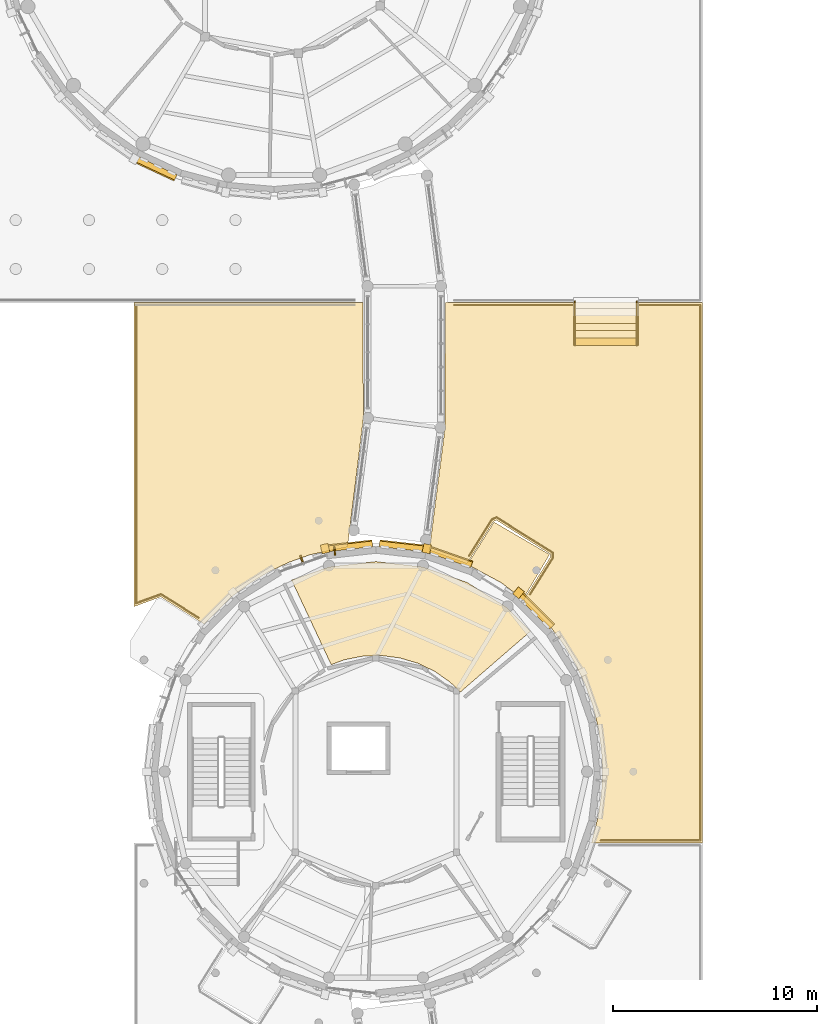
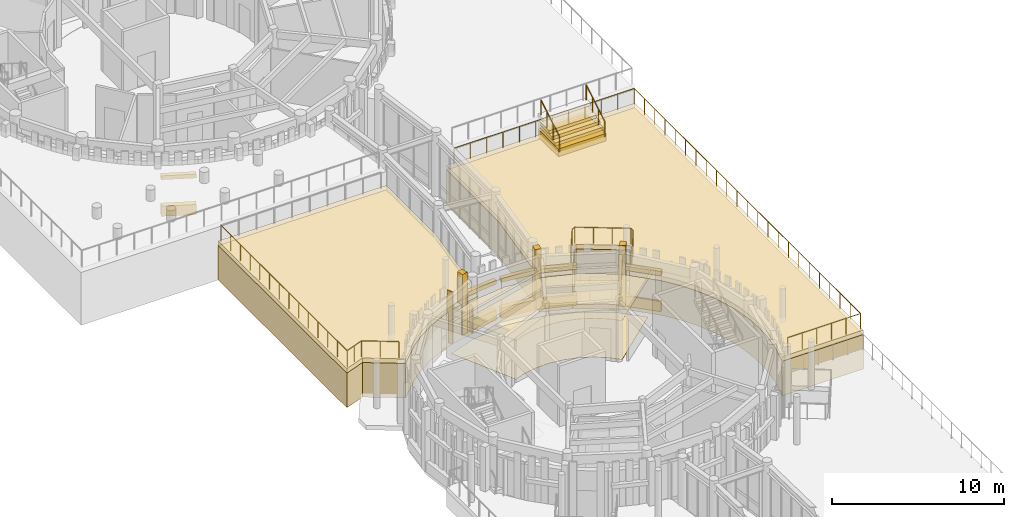
# One storey, part 82 of 94: 24 coverings, 5 railings, 2 shading devices.
"""IFC4 building model written with IfcOpenShell, lengths in metres."""

from ifc_helpers import new_model, si_unit, direction, frame, origin, origin_2d, place, context, subcontext, project, spatial, polyline, rectangle, circle, outline, extrude, material, layer, layer_set, type_object, element, save


model = new_model("IFC4")

# Units and contexts
model_context = context("Model", 3, precision=1e-05, world=origin(), true_north=direction((0.0, 1.0)))
body_context = subcontext(model_context, "Body", "Model", "MODEL_VIEW")
ifc_project = project(units=[si_unit("LENGTHUNIT", "METRE"), si_unit("AREAUNIT", "SQUARE_METRE"), si_unit("VOLUMEUNIT", "CUBIC_METRE"), si_unit("PLANEANGLEUNIT", "RADIAN"), si_unit("MASSUNIT", "GRAM", prefix="KILO")], contexts=[model_context])

# Site, building, storey
site_placement = place(None, origin())
site = spatial("IfcSite", under=ifc_project, at=site_placement, CompositionType="ELEMENT")
building_placement = place(site_placement, origin())
building = spatial("IfcBuilding", under=site, at=building_placement, Name="Aldenvaro Health Centre", CompositionType="ELEMENT")
storey_placement = place(building_placement, origin())
storey = spatial("IfcBuildingStorey", under=building, at=storey_placement, Name="L00", CompositionType="ELEMENT", Elevation=0.0)

# Coverings
ifc_material_1 = material(Name="Antimicrobial Mineral Fibre Ceiling")
ifc_layer_1 = layer(ifc_material_1, 0.01806640625, Name="Antimicrobial Mineral Fibre Ceiling")
ifc_layer_set_1 = layer_set([ifc_layer_1], Name="Antimicrobial Mineral Fibre Ceiling")
covering_type_1 = type_object("IfcCoveringType", Name="COV-CLG-ACT18", PredefinedType="CEILING", material=ifc_layer_set_1)
covering_1_placement = place(storey_placement, frame((0.0, 0.0, 2.75)))
element("IfcCovering", 1, at=covering_1_placement, inside=storey, type_object=covering_type_1, Name="D3-L00-R01 Suspended Ceiling", PredefinedType="CEILING", context=body_context, shape_type="SweptSolid", body=[
    extrude(outline(polyline([(27.1708984375, 61.8720703125), (27.156982421875, 61.885009765625), (27.14208984375, 61.89697265625), (26.4189453125, 62.406982421875), (26.402099609375, 62.4169921875), (26.385009765625, 62.427001953125), (25.590087890625, 62.81298828125), (25.572021484375, 62.821044921875), (25.552978515625, 62.826904296875), (24.7060546875, 63.080078125), (24.68701171875, 63.0849609375), (24.66796875, 63.087890625), (23.791015625, 63.201904296875), (23.77099609375, 63.2041015625), (23.751953125, 63.2041015625), (22.867919921875, 63.174072265625), (22.84912109375, 63.173095703125), (22.8291015625, 63.169921875), (21.9619140625, 62.998046875), (21.943115234375, 62.993896484375), (21.924072265625, 62.988037109375), (21.302978515625, 62.756103515625), (19.35595703125, 66.912109375), (21.2041015625, 67.55908203125), (23.5, 67.818115234375), (25.7958984375, 67.55908203125), (27.97705078125, 66.7958984375), (29.93310546875, 65.56689453125), (31.10009765625, 64.40087890625), (27.64501953125, 61.407958984375), (27.1708984375, 61.8720703125)])), origin(), (0.0, 0.0, 1.0), 0.01806640625),
])
ifc_material_2 = material(Name="Honed Sonoran Buff Limestone", Category="masonry")
ifc_layer_2 = layer(ifc_material_2, 0.280029296875, Name="Honed Sonoran Buff Limestone", Category="masonry")
ifc_layer_set_2 = layer_set([ifc_layer_2], Name="Honed Sonoran Buff Limestone")
covering_type_2 = type_object("IfcCoveringType", Name="COV-CRN-STN", PredefinedType="CLADDING", material=ifc_layer_set_2)
covering_2_placement = place(storey_placement, frame((22.2490234375, 68.60107421875, 0.0), z_axis=(0.0, 0.0, 1.0), x_axis=(0.993722777443, 0.111870646695, 0.0)))
element("IfcCovering", 2, at=covering_2_placement, inside=storey, type_object=covering_type_2, Name="D3 L00 Rusticated Limestone Plinth 21.1", PredefinedType="CLADDING", context=body_context, shape_type="SweptSolid", body=[
    extrude(rectangle(XDim=2.159912109375, YDim=0.340087890625, at=origin_2d()), origin(), (0.0, 0.0, 1.0), 0.719970703125),
])
covering_3_placement = place(storey_placement, frame((22.2529296875, 68.572021484375, 2.5498046875), z_axis=(0.0, 0.0, 1.0), x_axis=(0.993722777443, 0.111870646695, 0.0)))
element("IfcCovering", 3, at=covering_3_placement, inside=storey, type_object=covering_type_2, Name="D3 L00 Rusticated Limestone Plinth 21.2", PredefinedType="CLADDING", context=body_context, shape_type="SweptSolid", body=[
    extrude(rectangle(XDim=2.159912109375, YDim=0.280029296875, at=origin_2d()), origin(), (0.0, 0.0, 1.0), 0.280029296875),
])
covering_4_placement = place(storey_placement, frame((20.9990234375, 68.4580078125, -0.00048828125), z_axis=(0.0, 0.0, 1.0), x_axis=(-0.222473549538, 0.974938726155, 0.0)))
element("IfcCovering", 4, at=covering_4_placement, inside=storey, type_object=covering_type_2, Name="D3 L00 Engaged Classical Limestone Pilaster 11", PredefinedType="CLADDING", context=body_context, shape_type="SweptSolid", body=[
    extrude(rectangle(XDim=0.43994140625, YDim=0.3798828125, at=origin_2d()), origin(), (0.0, 0.0, 1.0), 4.304931640625),
])
covering_5_placement = place(storey_placement, frame((24.7509765625, 68.60107421875, 0.0), z_axis=(0.0, 0.0, 1.0), x_axis=(0.993722777443, -0.111870646695, 0.0)))
element("IfcCovering", 5, at=covering_5_placement, inside=storey, type_object=covering_type_2, Name="D3 L00 Rusticated Limestone Plinth 22.1", PredefinedType="CLADDING", context=body_context, shape_type="SweptSolid", body=[
    extrude(rectangle(XDim=2.159912109375, YDim=0.340087890625, at=origin_2d()), origin(), (0.0, 0.0, 1.0), 0.719970703125),
])
covering_6_placement = place(storey_placement, frame((24.7470703125, 68.572021484375, 2.5498046875), z_axis=(0.0, 0.0, 1.0), x_axis=(0.993722777443, -0.111870646695, 0.0)))
element("IfcCovering", 6, at=covering_6_placement, inside=storey, type_object=covering_type_2, Name="D3 L00 Rusticated Limestone Plinth 22.2", PredefinedType="CLADDING", context=body_context, shape_type="SweptSolid", body=[
    extrude(rectangle(XDim=2.159912109375, YDim=0.280029296875, at=origin_2d()), origin(), (0.0, 0.0, 1.0), 0.280029296875),
])
covering_7_placement = place(storey_placement, frame((27.18896484375, 68.044921875, 0.0), z_axis=(0.0, 0.0, 1.0), x_axis=(0.943909441385, -0.330204431323, 0.0)))
element("IfcCovering", 7, at=covering_7_placement, inside=storey, type_object=covering_type_2, Name="D3 L00 Rusticated Limestone Plinth 23.1", PredefinedType="CLADDING", context=body_context, shape_type="SweptSolid", body=[
    extrude(rectangle(XDim=2.160888671875, YDim=0.340087890625, at=origin_2d()), origin(), (0.0, 0.0, 1.0), 0.719970703125),
])
covering_8_placement = place(storey_placement, frame((27.178955078125, 68.01708984375, 2.5498046875), z_axis=(0.0, 0.0, 1.0), x_axis=(0.943909441385, -0.330204431323, 0.0)))
element("IfcCovering", 8, at=covering_8_placement, inside=storey, type_object=covering_type_2, Name="D3 L00 Rusticated Limestone Plinth 23.2", PredefinedType="CLADDING", context=body_context, shape_type="SweptSolid", body=[
    extrude(rectangle(XDim=2.160888671875, YDim=0.280029296875, at=origin_2d()), origin(), (0.0, 0.0, 1.0), 0.280029296875),
])
covering_9_placement = place(storey_placement, frame((26.0009765625, 68.4580078125, -0.00048828125), z_axis=(0.0, 0.0, 1.0), x_axis=(0.222473549538, 0.974938726155, 0.0)))
element("IfcCovering", 9, at=covering_9_placement, inside=storey, type_object=covering_type_2, Name="D3 L00 Engaged Classical Limestone Pilaster 12", PredefinedType="CLADDING", context=body_context, shape_type="SweptSolid", body=[
    extrude(rectangle(XDim=0.43994140625, YDim=0.3798828125, at=origin_2d()), origin(), (0.0, 0.0, 1.0), 4.304931640625),
])
covering_10_placement = place(storey_placement, frame((31.39892578125, 65.39892578125, 0.0), z_axis=(0.0, 0.0, 1.0), x_axis=(0.707106781187, -0.707106781187, 0.0)))
element("IfcCovering", 10, at=covering_10_placement, inside=storey, type_object=covering_type_2, Name="D3 L00 Rusticated Limestone Plinth 25.1", PredefinedType="CLADDING", context=body_context, shape_type="SweptSolid", body=[
    extrude(rectangle(XDim=2.160888671875, YDim=0.340087890625, at=origin_2d()), origin(), (0.0, 0.0, 1.0), 0.719970703125),
])
covering_11_placement = place(storey_placement, frame((31.3779296875, 65.3779296875, 2.5498046875), z_axis=(0.0, 0.0, 1.0), x_axis=(0.707106781187, -0.707106781187, 0.0)))
element("IfcCovering", 11, at=covering_11_placement, inside=storey, type_object=covering_type_2, Name="D3 L00 Rusticated Limestone Plinth 25.2", PredefinedType="CLADDING", context=body_context, shape_type="SweptSolid", body=[
    extrude(rectangle(XDim=2.160888671875, YDim=0.280029296875, at=origin_2d()), origin(), (0.0, 0.0, 1.0), 0.280029296875),
])
covering_12_placement = place(storey_placement, frame((30.508056640625, 66.2880859375, -0.00048828125), z_axis=(0.0, 0.0, 1.0), x_axis=(0.623485976143, 0.781834533359, 0.0)))
element("IfcCovering", 12, at=covering_12_placement, inside=storey, type_object=covering_type_2, Name="D3 L00 Engaged Classical Limestone Pilaster 13", PredefinedType="CLADDING", context=body_context, shape_type="SweptSolid", body=[
    extrude(rectangle(XDim=0.43994140625, YDim=0.3798828125, at=origin_2d()), origin(), (0.0, 0.0, 1.0), 4.304931640625),
])
covering_13_placement = place(storey_placement, frame((12.720947265625, 87.10693359375, 0.0), z_axis=(0.0, 0.0, 1.0), x_axis=(-0.90633620484, 0.422557314215, 0.0)))
element("IfcCovering", 13, at=covering_13_placement, inside=storey, type_object=covering_type_2, Name="D4 L00 Rusticated Limestone Plinth 12.1", PredefinedType="CLADDING", context=body_context, shape_type="SweptSolid", body=[
    extrude(rectangle(XDim=2.055908203125, YDim=0.340087890625, at=origin_2d()), origin(), (0.0, 0.0, 1.0), 0.719970703125),
])
covering_14_placement = place(storey_placement, frame((12.73388671875, 87.134033203125, 2.5498046875), z_axis=(0.0, 0.0, 1.0), x_axis=(-0.90633620484, 0.422557314215, 0.0)))
element("IfcCovering", 14, at=covering_14_placement, inside=storey, type_object=covering_type_2, Name="D4 L00 Rusticated Limestone Plinth 12.2", PredefinedType="CLADDING", context=body_context, shape_type="SweptSolid", body=[
    extrude(rectangle(XDim=2.055908203125, YDim=0.280029296875, at=origin_2d()), origin(), (0.0, 0.0, 1.0), 0.280029296875),
])
covering_15_placement = place(storey_placement, frame((0.0, 0.0, -0.320068359375)))
element("IfcCovering", 15, at=covering_15_placement, inside=storey, type_object=covering_type_2, Name="Middle Foothill Wing and Upper Garden Belvedere Terrace Rusticated Foothill Stone Plinth 3", PredefinedType="CLADDING", context=body_context, shape_type="SweptSolid", body=[
    extrude(outline(polyline([(26.123046875, 68.37890625), (26.89697265625, 74.385986328125), (26.9130859375, 80.550048828125), (39.550048828125, 80.550048828125), (39.550048828125, 54.0), (34.093994140625, 54.0), (34.426025390625, 55.326904296875), (34.5859375, 56.407958984375), (34.639892578125, 57.5), (34.5859375, 58.592041015625), (34.426025390625, 59.673095703125), (34.159912109375, 60.73388671875), (33.7919921875, 61.762939453125), (33.324951171875, 62.7509765625), (32.762939453125, 63.68896484375), (32.111083984375, 64.56689453125), (30.75390625, 65.94189453125), (32.070068359375, 68.037109375), (32.072998046875, 68.19091796875), (29.4130859375, 69.863037109375), (29.27587890625, 69.79296875), (27.970947265625, 67.717041015625), (26.123046875, 68.37890625)])), origin(), (0.0, 0.0, 1.0), 2.449951171875),
])
covering_16_placement = place(storey_placement, frame((0.0, 0.0, -0.320068359375)))
element("IfcCovering", 16, at=covering_16_placement, inside=storey, type_object=covering_type_2, Name="Middle Foothill Wing and Upper Garden Belvedere Terrace Rusticated Foothill Stone Plinth 4", PredefinedType="CLADDING", context=body_context, shape_type="SweptSolid", body=[
    extrude(outline(polyline([(11.60009765625, 80.550048828125), (22.873046875, 80.550048828125), (22.87890625, 74.821044921875), (22.10400390625, 68.541015625), (20.26611328125, 68.159912109375), (19.237060546875, 67.7919921875), (18.2490234375, 67.324951171875), (17.31103515625, 66.762939453125), (16.43310546875, 66.111083984375), (15.05810546875, 64.75390625), (12.923095703125, 66.087890625), (11.60009765625, 65.60400390625), (11.60009765625, 80.550048828125)])), origin(), (0.0, 0.0, 1.0), 2.449951171875),
])
covering_17_placement = place(storey_placement, frame((0.0, 0.0, -0.320068359375)))
element("IfcCovering", 17, at=covering_17_placement, inside=storey, type_object=covering_type_2, Name="Classical Terrace Grand Stair GST-W2 Solid Stone Carriage", PredefinedType="CLADDING", context=body_context, shape_type="SweptSolid", body=[
    extrude(outline(polyline([(33.199951171875, 78.449951171875), (36.39990234375, 78.449951171875), (36.39990234375, 80.81005859375), (33.199951171875, 80.81005859375), (33.199951171875, 78.449951171875)])), origin(), (0.0, 0.0, 1.0), 2.987060546875),
])
ifc_material_3 = material(Name="Polished Epoxy Terrazzo Flooring")
ifc_layer_3 = layer(ifc_material_3, 0.02197265625, Name="Polished Epoxy Terrazzo Flooring")
ifc_layer_set_3 = layer_set([ifc_layer_3], Name="Polished Epoxy Terrazzo Flooring")
covering_type_3 = type_object("IfcCoveringType", Name="COV-FLR-TER22", PredefinedType="FLOORING", material=ifc_layer_set_3)
covering_18_placement = place(storey_placement, origin())
element("IfcCovering", 18, at=covering_18_placement, inside=storey, type_object=covering_type_3, Name="D3-L00-R01 Flooring", PredefinedType="FLOORING", context=body_context, shape_type="SweptSolid", body=[
    extrude(outline(polyline([(27.1708984375, 61.8720703125), (27.156982421875, 61.885009765625), (27.14208984375, 61.89697265625), (26.4189453125, 62.406982421875), (26.402099609375, 62.4169921875), (26.385009765625, 62.427001953125), (25.590087890625, 62.81298828125), (25.572021484375, 62.821044921875), (25.552978515625, 62.826904296875), (24.7060546875, 63.080078125), (24.68701171875, 63.0849609375), (24.66796875, 63.087890625), (23.791015625, 63.201904296875), (23.77099609375, 63.2041015625), (23.751953125, 63.2041015625), (22.867919921875, 63.174072265625), (22.84912109375, 63.173095703125), (22.8291015625, 63.169921875), (21.9619140625, 62.998046875), (21.943115234375, 62.993896484375), (21.924072265625, 62.988037109375), (21.302978515625, 62.756103515625), (19.35595703125, 66.912109375), (21.2041015625, 67.55908203125), (23.5, 67.818115234375), (25.7958984375, 67.55908203125), (27.97705078125, 66.7958984375), (29.93310546875, 65.56689453125), (31.10009765625, 64.40087890625), (27.64501953125, 61.407958984375), (27.1708984375, 61.8720703125)])), origin(), (0.0, 0.0, 1.0), 0.02197265625),
])
ifc_material_4 = material(Name="Honed Sonoran Buff Travertine", Category="masonry")
ifc_layer_4 = layer(ifc_material_4, 0.320068359375, Name="Honed Sonoran Buff Travertine", Category="masonry")
ifc_layer_set_4 = layer_set([ifc_layer_4], Name="Honed Sonoran Buff Travertine")
covering_type_4 = type_object("IfcCoveringType", Name="COV-POD-320", PredefinedType="FLOORING", material=ifc_layer_set_4)
covering_19_placement = place(storey_placement, frame((0.0, 0.0, -0.320068359375)))
element("IfcCovering", 19, at=covering_19_placement, inside=storey, type_object=covering_type_4, Name="South Street Entrance Stylobate Forecourt Section 21", PredefinedType="FLOORING", context=body_context, shape_type="SweptSolid", body=[
    extrude(outline(polyline([(27.9951171875, 67.68505859375), (29.303955078125, 69.761962890625), (32.032958984375, 68.1689453125), (30.722900390625, 65.969970703125), (29.68896484375, 66.762939453125), (27.9951171875, 67.68505859375)])), origin(), (0.0, 0.0, 1.0), 0.320068359375),
])
covering_20_placement = place(storey_placement, frame((0.0, 0.0, 2.1298828125)))
element("IfcCovering", 20, at=covering_20_placement, inside=storey, type_object=covering_type_4, Name="Middle Foothill Wing and Upper Garden Belvedere Terrace Coping Deck 3", PredefinedType="FLOORING", context=body_context, shape_type="SweptSolid", body=[
    extrude(outline(polyline([(26.123046875, 68.37890625), (26.89697265625, 74.385986328125), (26.9130859375, 80.550048828125), (39.550048828125, 80.550048828125), (39.550048828125, 54.0), (34.093994140625, 54.0), (34.426025390625, 55.326904296875), (34.5859375, 56.407958984375), (34.639892578125, 57.5), (34.5859375, 58.592041015625), (34.426025390625, 59.673095703125), (34.159912109375, 60.73388671875), (33.7919921875, 61.762939453125), (33.324951171875, 62.7509765625), (32.762939453125, 63.68896484375), (32.111083984375, 64.56689453125), (30.75390625, 65.94189453125), (32.070068359375, 68.037109375), (32.072998046875, 68.19091796875), (29.4130859375, 69.863037109375), (29.27587890625, 69.79296875), (27.970947265625, 67.717041015625), (26.123046875, 68.37890625)])), origin(), (0.0, 0.0, 1.0), 0.320068359375),
])
covering_21_placement = place(storey_placement, frame((0.0, 0.0, 2.1298828125)))
element("IfcCovering", 21, at=covering_21_placement, inside=storey, type_object=covering_type_4, Name="Middle Foothill Wing and Upper Garden Belvedere Terrace Coping Deck 4", PredefinedType="FLOORING", context=body_context, shape_type="SweptSolid", body=[
    extrude(outline(polyline([(11.60009765625, 80.550048828125), (22.873046875, 80.550048828125), (22.87890625, 74.821044921875), (22.10400390625, 68.541015625), (20.26611328125, 68.159912109375), (19.237060546875, 67.7919921875), (18.2490234375, 67.324951171875), (17.31103515625, 66.762939453125), (16.43310546875, 66.111083984375), (15.05810546875, 64.75390625), (12.923095703125, 66.087890625), (11.60009765625, 65.60400390625), (11.60009765625, 80.550048828125)])), origin(), (0.0, 0.0, 1.0), 0.320068359375),
])
covering_22_placement = place(storey_placement, frame((0.0, 0.0, 2.6669921875)))
element("IfcCovering", 22, at=covering_22_placement, inside=storey, type_object=covering_type_4, Name="Classical Terrace Grand Stair GST-W2 Stone Step 2", PredefinedType="FLOORING", context=body_context, shape_type="SweptSolid", body=[
    extrude(outline(polyline([(33.199951171875, 78.81005859375), (36.39990234375, 78.81005859375), (36.39990234375, 80.81005859375), (33.199951171875, 80.81005859375), (33.199951171875, 78.81005859375)])), origin(), (0.0, 0.0, 1.0), 0.216064453125),
])
covering_23_placement = place(storey_placement, frame((0.0, 0.0, 2.883056640625)))
element("IfcCovering", 23, at=covering_23_placement, inside=storey, type_object=covering_type_4, Name="Classical Terrace Grand Stair GST-W2 Stone Step 3", PredefinedType="FLOORING", context=body_context, shape_type="SweptSolid", body=[
    extrude(outline(polyline([(33.199951171875, 79.169921875), (36.39990234375, 79.169921875), (36.39990234375, 80.81005859375), (33.199951171875, 80.81005859375), (33.199951171875, 79.169921875)])), origin(), (0.0, 0.0, 1.0), 0.217041015625),
])
covering_24_placement = place(storey_placement, frame((0.0, 0.0, 3.10009765625)))
element("IfcCovering", 24, at=covering_24_placement, inside=storey, type_object=covering_type_4, Name="Classical Terrace Grand Stair GST-W2 Stone Step 4", PredefinedType="FLOORING", context=body_context, shape_type="SweptSolid", body=[
    extrude(outline(polyline([(33.199951171875, 79.530029296875), (36.39990234375, 79.530029296875), (36.39990234375, 80.81005859375), (33.199951171875, 80.81005859375), (33.199951171875, 79.530029296875)])), origin(), (0.0, 0.0, 1.0), 0.216796875),
])

# Railings
ifc_material_5 = material(Name="Painted Architectural Steel", Category="steel")
railing_type_1 = type_object("IfcRailingType", Name="RL-BAL-110", PredefinedType="GUARDRAIL", material=ifc_material_5)
for number, where, name in (
    (25, (33.280029296875, 78.449951171875, 2.449951171875), "Classical Terrace Grand Stair GST-W2 Balustrade W"),
    (26, (36.320068359375, 78.449951171875, 2.449951171875), "Classical Terrace Grand Stair GST-W2 Balustrade E"),
):
    element("IfcRailing", number, at=place(storey_placement, frame(where)), inside=storey, type_object=railing_type_1, Name=name, PredefinedType="GUARDRAIL", context=body_context, shape_type="SweptSolid", body=[
        extrude(circle(Radius=0.02392578125, at=origin_2d()), frame((0.0, 0.0, 1.076171875), z_axis=(0.0, 0.856800061236, 0.515648771031), x_axis=(-1.0, 0.0, 0.0)), (0.0, 0.0, 1.0), 2.521240234375),
        extrude(circle(Radius=0.02099609375, at=origin_2d()), origin(), (0.0, 0.0, 1.0), 1.052001953125),
        extrude(circle(Radius=0.02099609375, at=origin_2d()), frame((0.0, 0.719970703125, 0.433349609375)), (0.0, 0.0, 1.0), 1.052001953125),
        extrude(circle(Radius=0.02099609375, at=origin_2d()), frame((0.0, 1.440185546875, 0.86669921875)), (0.0, 0.0, 1.0), 1.052001953125),
        extrude(circle(Radius=0.02099609375, at=origin_2d()), frame((0.0, 2.16015625, 1.300048828125)), (0.0, 0.0, 1.0), 1.052001953125),
    ])
railing_type_2 = type_object("IfcRailingType", Name="RL-BAL-115", PredefinedType="GUARDRAIL", material=ifc_material_5)
railing_1_placement = place(storey_placement, frame((27.343017578125, 80.429931640625, 2.449951171875)))
element("IfcRailing", 27, at=railing_1_placement, inside=storey, type_object=railing_type_2, Name="Middle Foothill Wing and Upper Garden Belvedere Terrace Classical Balustrade 17", PredefinedType="GUARDRAIL", context=body_context, shape_type="SweptSolid", body=[
    extrude(circle(Radius=0.02392578125, at=origin_2d()), frame((0.0, 0.0, 1.1357421875), z_axis=(1.0, 0.0, 0.0), x_axis=(0.0, 1.0, 0.0)), (0.0, 0.0, 1.0), 12.0869140625),
    extrude(circle(Radius=0.02392578125, at=origin_2d()), frame((12.0869140625, 0.0, 1.1357421875), z_axis=(0.0, -1.0, 0.0), x_axis=(1.0, 0.0, 0.0)), (0.0, 0.0, 1.0), 26.309814453125),
    extrude(circle(Radius=0.02392578125, at=origin_2d()), frame((12.0869140625, -26.309814453125, 1.1357421875), z_axis=(-1.0, 0.0, 0.0), x_axis=(0.0, -1.0, 0.0)), (0.0, 0.0, 1.0), 4.886962890625),
    extrude(circle(Radius=0.02099609375, at=origin_2d()), origin(), (0.0, 0.0, 1.0), 1.11181640625),
    extrude(circle(Radius=0.02099609375, at=origin_2d()), frame((1.098876953125, 0.0, 0.0)), (0.0, 0.0, 1.0), 1.11181640625),
    extrude(circle(Radius=0.02099609375, at=origin_2d()), frame((2.197509765625, 0.0, 0.0)), (0.0, 0.0, 1.0), 1.11181640625),
    extrude(circle(Radius=0.02099609375, at=origin_2d()), frame((3.29638671875, 0.0, 0.0)), (0.0, 0.0, 1.0), 1.11181640625),
    extrude(circle(Radius=0.02099609375, at=origin_2d()), frame((4.395263671875, 0.0, 0.0)), (0.0, 0.0, 1.0), 1.11181640625),
    extrude(circle(Radius=0.02099609375, at=origin_2d()), frame((5.494140625, 0.0, 0.0)), (0.0, 0.0, 1.0), 1.11181640625),
    extrude(circle(Radius=0.02099609375, at=origin_2d()), frame((6.5927734375, 0.0, 0.0)), (0.0, 0.0, 1.0), 1.11181640625),
    extrude(circle(Radius=0.02099609375, at=origin_2d()), frame((7.691650390625, 0.0, 0.0)), (0.0, 0.0, 1.0), 1.11181640625),
    extrude(circle(Radius=0.02099609375, at=origin_2d()), frame((8.79052734375, 0.0, 0.0)), (0.0, 0.0, 1.0), 1.11181640625),
    extrude(circle(Radius=0.02099609375, at=origin_2d()), frame((9.889404296875, 0.0, 0.0)), (0.0, 0.0, 1.0), 1.11181640625),
    extrude(circle(Radius=0.02099609375, at=origin_2d()), frame((10.988037109375, 0.0, 0.0)), (0.0, 0.0, 1.0), 1.11181640625),
    extrude(circle(Radius=0.02099609375, at=origin_2d()), frame((12.0869140625, 0.0, 0.0)), (0.0, 0.0, 1.0), 1.11181640625),
    extrude(circle(Radius=0.02099609375, at=origin_2d()), frame((12.0869140625, -1.19580078125, 0.0)), (0.0, 0.0, 1.0), 1.11181640625),
    extrude(circle(Radius=0.02099609375, at=origin_2d()), frame((12.0869140625, -2.391845703125, 0.0)), (0.0, 0.0, 1.0), 1.11181640625),
    extrude(circle(Radius=0.02099609375, at=origin_2d()), frame((12.0869140625, -3.587646484375, 0.0)), (0.0, 0.0, 1.0), 1.11181640625),
    extrude(circle(Radius=0.02099609375, at=origin_2d()), frame((12.0869140625, -4.78369140625, 0.0)), (0.0, 0.0, 1.0), 1.11181640625),
    extrude(circle(Radius=0.02099609375, at=origin_2d()), frame((12.0869140625, -5.9794921875, 0.0)), (0.0, 0.0, 1.0), 1.11181640625),
    extrude(circle(Radius=0.02099609375, at=origin_2d()), frame((12.0869140625, -7.17529296875, 0.0)), (0.0, 0.0, 1.0), 1.11181640625),
    extrude(circle(Radius=0.02099609375, at=origin_2d()), frame((12.0869140625, -8.371337890625, 0.0)), (0.0, 0.0, 1.0), 1.11181640625),
    extrude(circle(Radius=0.02099609375, at=origin_2d()), frame((12.0869140625, -9.567138671875, 0.0)), (0.0, 0.0, 1.0), 1.11181640625),
    extrude(circle(Radius=0.02099609375, at=origin_2d()), frame((12.0869140625, -10.76318359375, 0.0)), (0.0, 0.0, 1.0), 1.11181640625),
    extrude(circle(Radius=0.02099609375, at=origin_2d()), frame((12.0869140625, -11.958984375, 0.0)), (0.0, 0.0, 1.0), 1.11181640625),
    extrude(circle(Radius=0.02099609375, at=origin_2d()), frame((12.0869140625, -13.15478515625, 0.0)), (0.0, 0.0, 1.0), 1.11181640625),
    extrude(circle(Radius=0.02099609375, at=origin_2d()), frame((12.0869140625, -14.350830078125, 0.0)), (0.0, 0.0, 1.0), 1.11181640625),
    extrude(circle(Radius=0.02099609375, at=origin_2d()), frame((12.0869140625, -15.546630859375, 0.0)), (0.0, 0.0, 1.0), 1.11181640625),
    extrude(circle(Radius=0.02099609375, at=origin_2d()), frame((12.0869140625, -16.74267578125, 0.0)), (0.0, 0.0, 1.0), 1.11181640625),
    extrude(circle(Radius=0.02099609375, at=origin_2d()), frame((12.0869140625, -17.9384765625, 0.0)), (0.0, 0.0, 1.0), 1.11181640625),
    extrude(circle(Radius=0.02099609375, at=origin_2d()), frame((12.0869140625, -19.134521484375, 0.0)), (0.0, 0.0, 1.0), 1.11181640625),
    extrude(circle(Radius=0.02099609375, at=origin_2d()), frame((12.0869140625, -20.330322265625, 0.0)), (0.0, 0.0, 1.0), 1.11181640625),
    extrude(circle(Radius=0.02099609375, at=origin_2d()), frame((12.0869140625, -21.526123046875, 0.0)), (0.0, 0.0, 1.0), 1.11181640625),
    extrude(circle(Radius=0.02099609375, at=origin_2d()), frame((12.0869140625, -22.72216796875, 0.0)), (0.0, 0.0, 1.0), 1.11181640625),
    extrude(circle(Radius=0.02099609375, at=origin_2d()), frame((12.0869140625, -23.91796875, 0.0)), (0.0, 0.0, 1.0), 1.11181640625),
    extrude(circle(Radius=0.02099609375, at=origin_2d()), frame((12.0869140625, -25.114013671875, 0.0)), (0.0, 0.0, 1.0), 1.11181640625),
    extrude(circle(Radius=0.02099609375, at=origin_2d()), frame((12.0869140625, -26.309814453125, 0.0)), (0.0, 0.0, 1.0), 1.11181640625),
    extrude(circle(Radius=0.02099609375, at=origin_2d()), frame((11.109619140625, -26.309814453125, 0.0)), (0.0, 0.0, 1.0), 1.11181640625),
    extrude(circle(Radius=0.02099609375, at=origin_2d()), frame((10.132080078125, -26.309814453125, 0.0)), (0.0, 0.0, 1.0), 1.11181640625),
    extrude(circle(Radius=0.02099609375, at=origin_2d()), frame((9.15478515625, -26.309814453125, 0.0)), (0.0, 0.0, 1.0), 1.11181640625),
    extrude(circle(Radius=0.02099609375, at=origin_2d()), frame((8.17724609375, -26.309814453125, 0.0)), (0.0, 0.0, 1.0), 1.11181640625),
    extrude(circle(Radius=0.02099609375, at=origin_2d()), frame((7.199951171875, -26.309814453125, 0.0)), (0.0, 0.0, 1.0), 1.11181640625),
])
railing_2_placement = place(storey_placement, frame((31.06591796875, 66.2119140625, 2.449951171875)))
element("IfcRailing", 28, at=railing_2_placement, inside=storey, type_object=railing_type_2, Name="Middle Foothill Wing and Upper Garden Belvedere Terrace Classical Balustrade 18", PredefinedType="GUARDRAIL", context=body_context, shape_type="SweptSolid", body=[
    extrude(circle(Radius=0.02392578125, at=origin_2d()), frame((0.0, 0.0, 1.1357421875), z_axis=(0.531660171449, 0.846957768779, 0.0), x_axis=(-0.846957768779, 0.531660171449, 0.0)), (0.0, 0.0, 1.0), 2.1123046875),
    extrude(circle(Radius=0.02392578125, at=origin_2d()), frame((1.123046875, 1.7890625, 1.1357421875), z_axis=(0.020091637317, 0.999798142682, 0.0), x_axis=(-0.999798142682, 0.020091637317, 0.0)), (0.0, 0.0, 1.0), 0.255126953125),
    extrude(circle(Radius=0.02392578125, at=origin_2d()), frame((1.128173828125, 2.044189453125, 1.1357421875), z_axis=(-0.846568472372, 0.532279833909, 0.0), x_axis=(-0.532279833909, -0.846568472372, 0.0)), (0.0, 0.0, 1.0), 3.278076171875),
    extrude(circle(Radius=0.02392578125, at=origin_2d()), frame((-1.64697265625, 3.7890625, 1.1357421875), z_axis=(-0.890564000386, -0.454857957187, 0.0), x_axis=(0.454857957187, -0.890564000386, 0.0)), (0.0, 0.0, 1.0), 0.2548828125),
    extrude(circle(Radius=0.02392578125, at=origin_2d()), frame((-1.8740234375, 3.673095703125, 1.1357421875), z_axis=(-0.532131225765, -0.846661891528, 0.0), x_axis=(0.846661891528, -0.532131225765, 0.0)), (0.0, 0.0, 1.0), 2.108154296875),
    extrude(circle(Radius=0.02099609375, at=origin_2d()), origin(), (0.0, 0.0, 1.0), 1.11181640625),
    extrude(circle(Radius=0.02099609375, at=origin_2d()), frame((0.5615234375, 0.89453125, 0.0)), (0.0, 0.0, 1.0), 1.11181640625),
    extrude(circle(Radius=0.02099609375, at=origin_2d()), frame((1.123046875, 1.7890625, 0.0)), (0.0, 0.0, 1.0), 1.11181640625),
    extrude(circle(Radius=0.02099609375, at=origin_2d()), frame((1.128173828125, 2.044189453125, 0.0)), (0.0, 0.0, 1.0), 1.11181640625),
    extrude(circle(Radius=0.02099609375, at=origin_2d()), frame((0.203125, 2.625732421875, 0.0)), (0.0, 0.0, 1.0), 1.11181640625),
    extrude(circle(Radius=0.02099609375, at=origin_2d()), frame((-0.721923828125, 3.20751953125, 0.0)), (0.0, 0.0, 1.0), 1.11181640625),
    extrude(circle(Radius=0.02099609375, at=origin_2d()), frame((-1.64697265625, 3.7890625, 0.0)), (0.0, 0.0, 1.0), 1.11181640625),
    extrude(circle(Radius=0.02099609375, at=origin_2d()), frame((-1.8740234375, 3.673095703125, 0.0)), (0.0, 0.0, 1.0), 1.11181640625),
    extrude(circle(Radius=0.02099609375, at=origin_2d()), frame((-2.43505859375, 2.78076171875, 0.0)), (0.0, 0.0, 1.0), 1.11181640625),
    extrude(circle(Radius=0.02099609375, at=origin_2d()), frame((-2.995849609375, 1.88818359375, 0.0)), (0.0, 0.0, 1.0), 1.11181640625),
])
railing_3_placement = place(storey_placement, frame((14.787109375, 65.06494140625, 2.449951171875)))
element("IfcRailing", 29, at=railing_3_placement, inside=storey, type_object=railing_type_2, Name="Middle Foothill Wing and Upper Garden Belvedere Terrace Classical Balustrade 20", PredefinedType="GUARDRAIL", context=body_context, shape_type="SweptSolid", body=[
    extrude(circle(Radius=0.02392578125, at=origin_2d()), frame((0.0, 0.0, 1.1357421875), z_axis=(-0.848061169358, 0.529898342163, 0.0), x_axis=(-0.529898342163, -0.848061169358, 0.0)), (0.0, 0.0, 1.0), 2.181640625),
    extrude(circle(Radius=0.02392578125, at=origin_2d()), frame((-1.85009765625, 1.156005859375, 1.1357421875), z_axis=(-0.939170288939, -0.343451842876, 0.0), x_axis=(0.343451842876, -0.939170288939, 0.0)), (0.0, 0.0, 1.0), 1.2958984375),
    extrude(circle(Radius=0.02392578125, at=origin_2d()), frame((-3.067138671875, 0.7109375, 1.1357421875), z_axis=(0.0, 1.0, 0.0), x_axis=(-1.0, 0.0, 0.0)), (0.0, 0.0, 1.0), 14.654052734375),
    extrude(circle(Radius=0.02099609375, at=origin_2d()), origin(), (0.0, 0.0, 1.0), 1.11181640625),
    extrude(circle(Radius=0.02099609375, at=origin_2d()), frame((-0.925048828125, 0.578125, 0.0)), (0.0, 0.0, 1.0), 1.11181640625),
    extrude(circle(Radius=0.02099609375, at=origin_2d()), frame((-1.85009765625, 1.156005859375, 0.0)), (0.0, 0.0, 1.0), 1.11181640625),
    extrude(circle(Radius=0.02099609375, at=origin_2d()), frame((-2.45849609375, 0.93359375, 0.0)), (0.0, 0.0, 1.0), 1.11181640625),
    extrude(circle(Radius=0.02099609375, at=origin_2d()), frame((-3.067138671875, 0.7109375, 0.0)), (0.0, 0.0, 1.0), 1.11181640625),
    extrude(circle(Radius=0.02099609375, at=origin_2d()), frame((-3.067138671875, 1.838134765625, 0.0)), (0.0, 0.0, 1.0), 1.11181640625),
    extrude(circle(Radius=0.02099609375, at=origin_2d()), frame((-3.067138671875, 2.96533203125, 0.0)), (0.0, 0.0, 1.0), 1.11181640625),
    extrude(circle(Radius=0.02099609375, at=origin_2d()), frame((-3.067138671875, 4.092529296875, 0.0)), (0.0, 0.0, 1.0), 1.11181640625),
    extrude(circle(Radius=0.02099609375, at=origin_2d()), frame((-3.067138671875, 5.219970703125, 0.0)), (0.0, 0.0, 1.0), 1.11181640625),
    extrude(circle(Radius=0.02099609375, at=origin_2d()), frame((-3.067138671875, 6.34716796875, 0.0)), (0.0, 0.0, 1.0), 1.11181640625),
    extrude(circle(Radius=0.02099609375, at=origin_2d()), frame((-3.067138671875, 7.474365234375, 0.0)), (0.0, 0.0, 1.0), 1.11181640625),
    extrude(circle(Radius=0.02099609375, at=origin_2d()), frame((-3.067138671875, 8.6015625, 0.0)), (0.0, 0.0, 1.0), 1.11181640625),
    extrude(circle(Radius=0.02099609375, at=origin_2d()), frame((-3.067138671875, 9.728759765625, 0.0)), (0.0, 0.0, 1.0), 1.11181640625),
    extrude(circle(Radius=0.02099609375, at=origin_2d()), frame((-3.067138671875, 10.85595703125, 0.0)), (0.0, 0.0, 1.0), 1.11181640625),
    extrude(circle(Radius=0.02099609375, at=origin_2d()), frame((-3.067138671875, 11.9833984375, 0.0)), (0.0, 0.0, 1.0), 1.11181640625),
    extrude(circle(Radius=0.02099609375, at=origin_2d()), frame((-3.067138671875, 13.110595703125, 0.0)), (0.0, 0.0, 1.0), 1.11181640625),
    extrude(circle(Radius=0.02099609375, at=origin_2d()), frame((-3.067138671875, 14.23779296875, 0.0)), (0.0, 0.0, 1.0), 1.11181640625),
    extrude(circle(Radius=0.02099609375, at=origin_2d()), frame((-3.067138671875, 15.364990234375, 0.0)), (0.0, 0.0, 1.0), 1.11181640625),
])

# Shading devices
ifc_material_6 = material(Name="Douglas Fir Exterior Glulam GL28h", Category="wood")
shading_device_type_1 = type_object("IfcShadingDeviceType", Name="SHD-FIN-190", PredefinedType="USERDEFINED", material=ifc_material_6)
shading_device_1_placement = place(storey_placement, frame((21.472900390625, 68.347900390625, -0.02001953125), z_axis=(0.0, 0.0, 1.0), x_axis=(0.993722777443, 0.111870646695, 0.0)))
element("IfcShadingDevice", 30, at=shading_device_1_placement, inside=storey, type_object=shading_device_type_1, Name="D3 L00 Douglas fir fin 21.1", ObjectType="FIN", PredefinedType="USERDEFINED", context=body_context, shape_type="SweptSolid", body=[
    extrude(rectangle(XDim=0.06494140625, YDim=0.419921875, at=origin_2d()), origin(), (0.0, 0.0, 1.0), 1.89990234375),
])
shading_device_type_2 = type_object("IfcShadingDeviceType", Name="SHD-FIN-380", PredefinedType="USERDEFINED", material=ifc_material_6)
shading_device_2_placement = place(storey_placement, frame((19.85400390625, 67.922119140625, -0.0205078125), z_axis=(0.0, 0.0, 1.0), x_axis=(0.943909441385, 0.330204431323, 0.0)))
element("IfcShadingDevice", 31, at=shading_device_2_placement, inside=storey, type_object=shading_device_type_2, Name="D3 L00 vertical timber fin 20.0", ObjectType="FIN", PredefinedType="USERDEFINED", context=body_context, shape_type="SweptSolid", body=[
    extrude(rectangle(XDim=0.074951171875, YDim=0.419921875, at=origin_2d()), origin(), (0.0, 0.0, 1.0), 3.698974609375),
])

save(model, "model.ifc")
